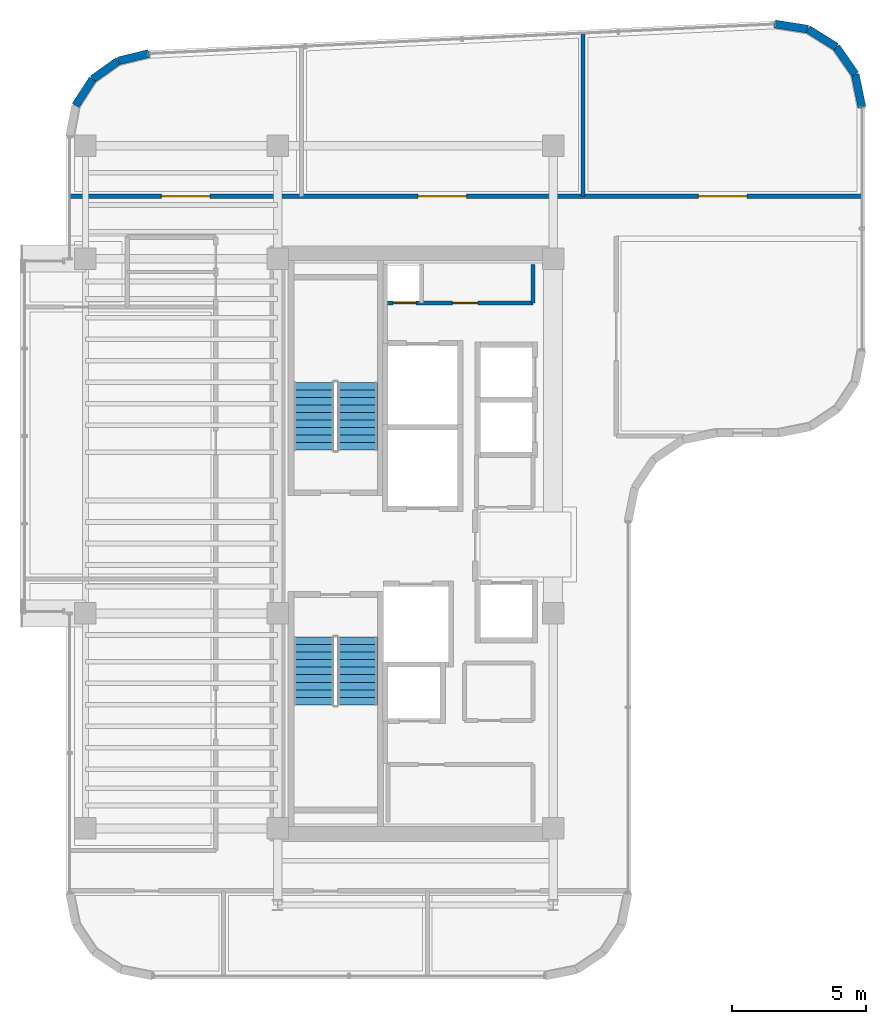
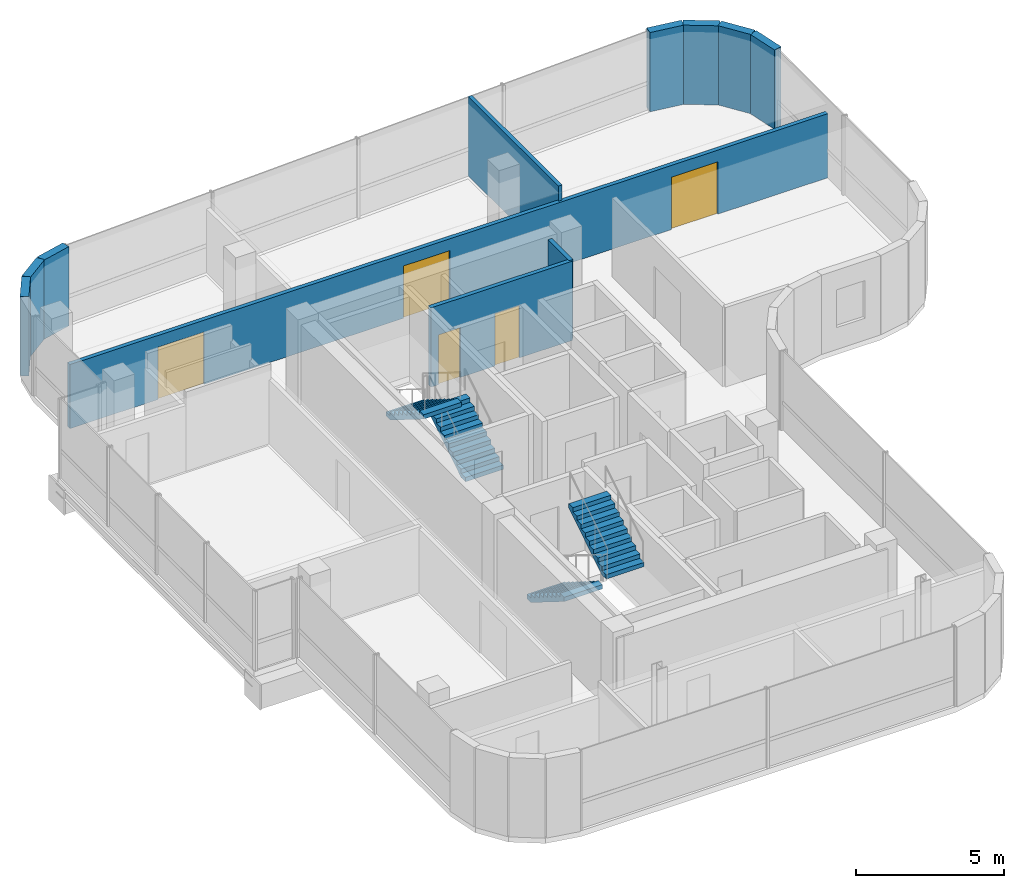
# One storey, part 16 of 18: 11 walls, 5 doors, 4 stair flights, 5 openings, 2 elements without a shape of their own.
"""IFC4 building model written with IfcOpenShell, lengths in metres."""

from ifc_helpers import new_model, si_unit, direction, frame, frame_2d, origin, place, context, subcontext, project, spatial, polyline, rectangle, outline, extrude, material, layer, layer_set, type_object, element, fill, aggregate, save


model = new_model("IFC4")

# Units and contexts
model_context = context("Model", 3, precision=1e-05, world=origin(), true_north=direction((0.0, 1.0)))
body_context = subcontext(model_context, "Body", "Model", "MODEL_VIEW")
ifc_project = project(units=[si_unit("LENGTHUNIT", "METRE"), si_unit("AREAUNIT", "SQUARE_METRE"), si_unit("VOLUMEUNIT", "CUBIC_METRE"), si_unit("PLANEANGLEUNIT", "RADIAN"), si_unit("MASSUNIT", "GRAM", prefix="KILO")], contexts=[model_context])

# Site, building, storey
site_placement = place(None, origin())
site = spatial("IfcSite", under=ifc_project, at=site_placement, CompositionType="ELEMENT")
building_placement = place(site_placement, origin())
building = spatial("IfcBuilding", under=site, at=building_placement, Name="Valdorenza Pilgrim Sanctuary Tower", CompositionType="ELEMENT")
storey_placement = place(building_placement, frame((0.0, 0.0, 276.5)))
storey = spatial("IfcBuildingStorey", under=building, at=storey_placement, Name="L72", CompositionType="ELEMENT", Elevation=276.5)

# Wall, openings, doors
ifc_material_1 = material(Name="Acoustic twin-stud gypsum partition", Category="gypsum")
ifc_layer_1 = layer(ifc_material_1, 0.159912109375, Name="Acoustic twin-stud gypsum partition")
ifc_layer_set_1 = layer_set([ifc_layer_1], Name="Acoustic twin-stud gypsum partition")
wall_type_1 = type_object("IfcWallType", Name="WAL-COR-160", PredefinedType="PARTITIONING", material=ifc_layer_set_1)
wall_1_placement = place(storey_placement, frame((-18.64990234375, 8.949951171875, 0.0), z_axis=(0.0, 0.0, 1.0), x_axis=(1.0, 0.0, 0.0)))
wall_1 = element("IfcWall", 1, at=wall_1_placement, inside=storey, type_object=wall_type_1, Name="L72 Core A North Service South Wall", PredefinedType="PARTITIONING", context=body_context, shape_type="SweptSolid", body=[
    extrude(rectangle(XDim=5.5, YDim=0.159912109375, at=frame_2d((2.75, 0.0))), origin(), (0.0, 0.0, 1.0), 3.260009765625),
])
opening_1_placement = place(wall_1_placement, frame((0.300048828125, 0.0, 0.0)))
opening_1 = element("IfcOpeningElement", 2, at=opening_1_placement, cuts=wall_1, Name="Opening DR-RS1", PredefinedType="OPENING", context=body_context, shape_type="SweptSolid", body=[
    extrude(rectangle(XDim=0.85009765625, YDim=2.050048828125, at=frame_2d((0.425048828125, 1.02490234375))), frame((0.0, 0.0947265625, 0.0), z_axis=(0.0, -1.0, 0.0), x_axis=(1.0, 0.0, 0.0)), (0.0, 0.0, 1.0), 0.189697265625),
])
opening_2_placement = place(wall_1_placement, frame((2.5, 0.0, 0.0)))
opening_2 = element("IfcOpeningElement", 3, at=opening_2_placement, cuts=wall_1, Name="Opening DR-UN1", PredefinedType="OPENING", context=body_context, shape_type="SweptSolid", body=[
    extrude(rectangle(XDim=0.949951171875, YDim=2.14990234375, at=frame_2d((0.47509765625, 1.074951171875))), frame((0.0, 0.0947265625, 0.0), z_axis=(0.0, -1.0, 0.0), x_axis=(1.0, 0.0, 0.0)), (0.0, 0.0, 1.0), 0.189697265625),
])
ifc_material_2 = material(Name="Painted galvanized steel", Category="steel")
door_type_1 = type_object("IfcDoorType", Name="DR-RSR-850", OperationType="NOTDEFINED", PredefinedType="DOOR", material=ifc_material_2)
door_1_placement = place(opening_1_placement, origin())
door_1 = element("IfcDoor", 4, at=door_1_placement, inside=storey, type_object=door_type_1, Name="L72 Core Electrical and Telecom Riser Door", OperationType="SINGLE_SWING_LEFT", OverallHeight=2.050048828125, OverallWidth=0.85009765625, PredefinedType="DOOR", context=body_context, shape_type="SweptSolid", body=[
    extrude(rectangle(XDim=0.85009765625, YDim=2.050048828125, at=frame_2d((0.425048828125, 1.02490234375))), frame((0.0, 0.02490234375, 0.0), z_axis=(0.0, -1.0, 0.0), x_axis=(1.0, 0.0, 0.0)), (0.0, 0.0, 1.0), 0.050048828125),
])
fill(opening_1, door_1)
ifc_material_3 = material(Name="Solid-core European oak timber", Category="wood")
door_type_2 = type_object("IfcDoorType", Name="DR-UNIT-950", OperationType="NOTDEFINED", PredefinedType="DOOR", material=ifc_material_3)
door_2_placement = place(opening_2_placement, origin())
door_2 = element("IfcDoor", 5, at=door_2_placement, inside=storey, type_object=door_type_2, Name="L72 Housekeeping and Clean Linen Room Door", OperationType="SINGLE_SWING_RIGHT", OverallHeight=2.14990234375, OverallWidth=0.949951171875, PredefinedType="DOOR", context=body_context, shape_type="SweptSolid", body=[
    extrude(rectangle(XDim=0.949951171875, YDim=2.14990234375, at=frame_2d((0.47509765625, 1.074951171875))), frame((0.0, 0.02490234375, 0.0), z_axis=(0.0, -1.0, 0.0), x_axis=(1.0, 0.0, 0.0)), (0.0, 0.0, 1.0), 0.050048828125),
])
fill(opening_2, door_2)

# Wall
wall_2_placement = place(storey_placement, frame((-13.14990234375, 8.949951171875, 0.0), z_axis=(0.0, 0.0, 1.0), x_axis=(0.0, 1.0, 0.0)))
element("IfcWall", 6, at=wall_2_placement, inside=storey, type_object=wall_type_1, Name="L72 Core A North Service East Wall", PredefinedType="PARTITIONING", context=body_context, shape_type="SweptSolid", body=[
    extrude(rectangle(XDim=1.429931640625, YDim=0.159912109375, at=frame_2d((0.71484375, 0.0))), origin(), (0.0, 0.0, 1.0), 3.260009765625),
])

# Wall, openings, doors
wall_3_placement = place(storey_placement, frame((-30.389892578125, 12.919921875, 0.0), z_axis=(0.0, 0.0, 1.0), x_axis=(1.0, 0.0, 0.0)))
wall_3 = element("IfcWall", 7, at=wall_3_placement, inside=storey, type_object=wall_type_1, Name="L72 North Corridor Wall", PredefinedType="PARTITIONING", context=body_context, shape_type="SweptSolid", body=[
    extrude(rectangle(XDim=29.47998046875, YDim=0.159912109375, at=frame_2d((14.739990234375, 0.0))), origin(), (0.0, 0.0, 1.0), 2.634033203125),
])
opening_3_placement = place(wall_3_placement, frame((3.4150390625, 0.0, 0.0)))
opening_3 = element("IfcOpeningElement", 8, at=opening_3_placement, cuts=wall_3, Name="Opening DR-HL1", PredefinedType="OPENING", context=body_context, shape_type="SweptSolid", body=[
    extrude(rectangle(XDim=1.800048828125, YDim=2.14990234375, at=frame_2d((0.89990234375, 1.074951171875))), frame((0.0, 0.0947265625, 0.0), z_axis=(0.0, -1.0, 0.0), x_axis=(1.0, 0.0, 0.0)), (0.0, 0.0, 1.0), 0.189697265625),
])
opening_4_placement = place(wall_3_placement, frame((12.969970703125, 0.0, 0.0)))
opening_4 = element("IfcOpeningElement", 9, at=opening_4_placement, cuts=wall_3, Name="Opening DR-HL1", PredefinedType="OPENING", context=body_context, shape_type="SweptSolid", body=[
    extrude(rectangle(XDim=1.800048828125, YDim=2.14990234375, at=frame_2d((0.89990234375, 1.074951171875))), frame((0.0, 0.0947265625, 0.0), z_axis=(0.0, -1.0, 0.0), x_axis=(1.0, 0.0, 0.0)), (0.0, 0.0, 1.0), 0.189697265625),
])
opening_5_placement = place(wall_3_placement, frame((23.39501953125, 0.0, 0.0)))
opening_5 = element("IfcOpeningElement", 10, at=opening_5_placement, cuts=wall_3, Name="Opening DR-HL1", PredefinedType="OPENING", context=body_context, shape_type="SweptSolid", body=[
    extrude(rectangle(XDim=1.800048828125, YDim=2.14990234375, at=frame_2d((0.89990234375, 1.074951171875))), frame((0.0, 0.0947265625, 0.0), z_axis=(0.0, -1.0, 0.0), x_axis=(1.0, 0.0, 0.0)), (0.0, 0.0, 1.0), 0.189697265625),
])
ifc_material_4 = material(Name="Acoustic oak and vision-glass double door", Category="glass")
door_type_3 = type_object("IfcDoorType", Name="DR-HALL-1800", OperationType="NOTDEFINED", PredefinedType="DOOR", material=ifc_material_4)
door_3_placement = place(opening_3_placement, origin())
door_3 = element("IfcDoor", 11, at=door_3_placement, inside=storey, type_object=door_type_3, Name="L72 Sacred Art Exhibition Gallery L72-N1 Door", OperationType="DOUBLE_DOOR_SINGLE_SWING", OverallHeight=2.14990234375, OverallWidth=1.800048828125, PredefinedType="DOOR", context=body_context, shape_type="SweptSolid", body=[
    extrude(rectangle(XDim=1.800048828125, YDim=2.14990234375, at=frame_2d((0.89990234375, 1.074951171875))), frame((0.0, 0.02490234375, 0.0), z_axis=(0.0, -1.0, 0.0), x_axis=(1.0, 0.0, 0.0)), (0.0, 0.0, 1.0), 0.050048828125),
])
fill(opening_3, door_3)
door_4_placement = place(opening_4_placement, frame((1.800048828125, 0.0, 0.0), z_axis=(0.0, 0.0, 1.0), x_axis=(-1.0, 0.0, 0.0)))
door_4 = element("IfcDoor", 12, at=door_4_placement, inside=storey, type_object=door_type_3, Name="L72 Sacred Art Exhibition Gallery L72-N2 Door", OperationType="DOUBLE_DOOR_SINGLE_SWING", OverallHeight=2.14990234375, OverallWidth=1.800048828125, PredefinedType="DOOR", context=body_context, shape_type="SweptSolid", body=[
    extrude(rectangle(XDim=1.800048828125, YDim=2.14990234375, at=frame_2d((0.89990234375, 1.074951171875))), frame((0.0, 0.02490234375, 0.0), z_axis=(0.0, -1.0, 0.0), x_axis=(1.0, 0.0, 0.0)), (0.0, 0.0, 1.0), 0.050048828125),
])
fill(opening_4, door_4)
door_5_placement = place(opening_5_placement, origin())
door_5 = element("IfcDoor", 13, at=door_5_placement, inside=storey, type_object=door_type_3, Name="L72 Sacred Art Exhibition Gallery L72-N3 Door", OperationType="DOUBLE_DOOR_SINGLE_SWING", OverallHeight=2.14990234375, OverallWidth=1.800048828125, PredefinedType="DOOR", context=body_context, shape_type="SweptSolid", body=[
    extrude(rectangle(XDim=1.800048828125, YDim=2.14990234375, at=frame_2d((0.89990234375, 1.074951171875))), frame((0.0, 0.02490234375, 0.0), z_axis=(0.0, -1.0, 0.0), x_axis=(1.0, 0.0, 0.0)), (0.0, 0.0, 1.0), 0.050048828125),
])
fill(opening_5, door_5)

# Walls
ifc_material_5 = material(Name="Honed travertine limestone", Category="masonry")
ifc_layer_2 = layer(ifc_material_5, 0.300048828125, Name="Honed travertine limestone")
ifc_layer_set_2 = layer_set([ifc_layer_2], Name="Honed travertine limestone")
wall_type_2 = type_object("IfcWallType", Name="WAL-EXT-300", PredefinedType="SOLIDWALL", material=ifc_layer_set_2)
wall_4_placement = place(storey_placement, frame((-30.16650390625, 16.29541015625, 0.0), z_axis=(0.0, 0.0, 1.0), x_axis=(0.540842020947, 0.841124193195, 0.0)))
element("IfcWall", 14, at=wall_4_placement, inside=storey, type_object=wall_type_2, Name="L72 Rounded Wind-Corner Stone Pier 3", PredefinedType="SOLIDWALL", context=body_context, shape_type="SweptSolid", body=[
    extrude(rectangle(XDim=1.169189453125, YDim=0.300048828125, at=frame_2d((0.58447265625, 0.0))), origin(), (0.0, 0.0, 1.0), 3.260009765625),
])
wall_5_placement = place(storey_placement, frame((-29.5341796875, 17.27880859375, 0.0), z_axis=(0.0, 0.0, 1.0), x_axis=(0.81466371606, 0.579933642527, 0.0)))
element("IfcWall", 15, at=wall_5_placement, inside=storey, type_object=wall_type_2, Name="L72 Rounded Wind-Corner Stone Pier 4", PredefinedType="SOLIDWALL", context=body_context, shape_type="SweptSolid", body=[
    extrude(rectangle(XDim=1.1689453125, YDim=0.300048828125, at=frame_2d((0.58447265625, 0.0))), origin(), (0.0, 0.0, 1.0), 3.260009765625),
])
wall_6_placement = place(storey_placement, frame((-28.581787109375, 17.956787109375, 0.0), z_axis=(0.0, 0.0, 1.0), x_axis=(0.971929016595, 0.235274279725, 0.0)))
element("IfcWall", 16, at=wall_6_placement, inside=storey, type_object=wall_type_2, Name="L72 Rounded Wind-Corner Stone Pier 5", PredefinedType="SOLIDWALL", context=body_context, shape_type="SweptSolid", body=[
    extrude(rectangle(XDim=1.179931640625, YDim=0.300048828125, at=frame_2d((0.58984375, 0.0))), origin(), (0.0, 0.0, 1.0), 3.260009765625),
])
wall_7_placement = place(storey_placement, frame((-4.15673828125, 19.331787109375, 0.0), z_axis=(0.0, 0.0, 1.0), x_axis=(0.987969236552, -0.15465053387, 0.0)))
element("IfcWall", 17, at=wall_7_placement, inside=storey, type_object=wall_type_2, Name="L72 Rounded Wind-Corner Stone Pier 7", PredefinedType="SOLIDWALL", context=body_context, shape_type="SweptSolid", body=[
    extrude(rectangle(XDim=1.251953125, YDim=0.300048828125, at=frame_2d((0.6259765625, 0.0))), origin(), (0.0, 0.0, 1.0), 3.260009765625),
])
for number, where, z_axis, x_axis, name in (
    (18, (-2.919921875, 19.13818359375, 0.0), (0.0, 0.0, 1.0), (0.847489288141, -0.530812496543, 0.0), "L72 Rounded Wind-Corner Stone Pier 8"),
    (19, (-1.86865234375, 18.479736328125, 0.0), (0.0, 0.0, 1.0), (0.570181861951, -0.821518499063, 0.0), "L72 Rounded Wind-Corner Stone Pier 9"),
):
    element("IfcWall", number, at=place(storey_placement, frame(where, z_axis=z_axis, x_axis=x_axis)), inside=storey, type_object=wall_type_2, Name=name, PredefinedType="SOLIDWALL", context=body_context, shape_type="SweptSolid", body=[
        extrude(rectangle(XDim=1.240478515625, YDim=0.300048828125, at=frame_2d((0.6201171875, 0.0))), origin(), (0.0, 0.0, 1.0), 3.260009765625),
    ])
wall_8_placement = place(storey_placement, frame((-1.161376953125, 17.460693359375, 0.0), z_axis=(0.0, 0.0, 1.0), x_axis=(0.20087696073, -0.979616479367, 0.0)))
element("IfcWall", 20, at=wall_8_placement, inside=storey, type_object=wall_type_2, Name="L72 Rounded Wind-Corner Stone Pier 10", PredefinedType="SOLIDWALL", context=body_context, shape_type="SweptSolid", body=[
    extrude(rectangle(XDim=1.251953125, YDim=0.300048828125, at=frame_2d((0.6259765625, 0.0))), origin(), (0.0, 0.0, 1.0), 3.260009765625),
])
ifc_layer_3 = layer(ifc_material_1, 0.14990234375, Name="Acoustic twin-stud gypsum partition")
ifc_layer_set_3 = layer_set([ifc_layer_3], Name="Acoustic twin-stud gypsum partition")
wall_type_3 = type_object("IfcWallType", Name="WAL-UNT-150", PredefinedType="PARTITIONING", material=ifc_layer_set_3)
wall_9_placement = place(storey_placement, frame((-11.280029296875, 12.919921875, 0.0), z_axis=(0.0, 0.0, 1.0), x_axis=(0.0, 1.0, 0.0)))
element("IfcWall", 21, at=wall_9_placement, inside=storey, type_object=wall_type_3, Name="L72 Sacred Art Exhibition Gallery L72-N3 Demising Wall", PredefinedType="PARTITIONING", context=body_context, shape_type="SweptSolid", body=[
    extrude(rectangle(XDim=6.075927734375, YDim=0.14990234375, at=frame_2d((3.0380859375, 0.0))), origin(), (0.0, 0.0, 1.0), 3.260009765625),
])

# Stair, stair flights
ifc_material_6 = material(Name="Concrete C40/50", Category="concrete")
stair_type = type_object("IfcStairType", Name="STR-DOG-CORE", PredefinedType="HALF_TURN_STAIR", material=ifc_material_6)
stair_1_placement = place(storey_placement, origin())
stair_1 = element("IfcStair", 22, at=stair_1_placement, inside=storey, type_object=stair_type, Name="L72 ST-A1", PredefinedType="HALF_TURN_STAIR")
stair_flight_type = type_object("IfcStairFlightType", Name="STF-RC-1400", PredefinedType="STRAIGHT", material=ifc_material_6)
stair_flight_1_placement = place(storey_placement, frame((-19.679931640625, 3.47998046875, 0.0), z_axis=(0.0, 0.0, 1.0), x_axis=(0.0, 1.0, 0.0)))
stair_flight_1 = element("IfcStairFlight", 23, at=stair_flight_1_placement, type_object=stair_flight_type, Name="ST-A1 flight 1", NumberOfRisers=10, NumberOfTreads=9, PredefinedType="STRAIGHT", RiserHeight=0.175, TreadLength=0.28, context=body_context, shape_type="SweptSolid", body=[
    extrude(outline(polyline([(0.0, 0.0), (0.0, 0.175048828125), (0.280029296875, 0.175048828125), (0.280029296875, 0.35009765625), (0.56005859375, 0.35009765625), (0.56005859375, 0.52490234375), (0.840087890625, 0.52490234375), (0.840087890625, 0.699951171875), (1.1201171875, 0.699951171875), (1.1201171875, 0.875), (1.39990234375, 0.875), (1.39990234375, 1.050048828125), (1.679931640625, 1.050048828125), (1.679931640625, 1.22509765625), (1.9599609375, 1.22509765625), (1.9599609375, 1.39990234375), (2.239990234375, 1.39990234375), (2.239990234375, 1.574951171875), (2.52001953125, 1.574951171875), (2.52001953125, 1.75), (2.52001953125, 1.398193359375), (0.28271484375, 0.0), (0.0, 0.0)])), frame((0.0, 0.739990234375, 0.0), z_axis=(0.0, -1.0, 0.0), x_axis=(1.0, 0.0, 0.0)), (0.0, 0.0, 1.0), 1.47998046875),
])
stair_flight_2_placement = place(storey_placement, frame((-21.31005859375, 6.0, 1.75), z_axis=(0.0, 0.0, 1.0), x_axis=(0.0, -1.0, 0.0)))
stair_flight_2 = element("IfcStairFlight", 24, at=stair_flight_2_placement, type_object=stair_flight_type, Name="ST-A1 flight 2", NumberOfRisers=10, NumberOfTreads=9, PredefinedType="STRAIGHT", RiserHeight=0.175, TreadLength=0.28, context=body_context, shape_type="SweptSolid", body=[
    extrude(outline(polyline([(0.0, 0.0), (0.0, 0.175048828125), (0.280029296875, 0.175048828125), (0.280029296875, 0.35009765625), (0.56005859375, 0.35009765625), (0.56005859375, 0.52490234375), (0.840087890625, 0.52490234375), (0.840087890625, 0.699951171875), (1.1201171875, 0.699951171875), (1.1201171875, 0.875), (1.39990234375, 0.875), (1.39990234375, 1.050048828125), (1.679931640625, 1.050048828125), (1.679931640625, 1.22509765625), (1.9599609375, 1.22509765625), (1.9599609375, 1.39990234375), (2.239990234375, 1.39990234375), (2.239990234375, 1.574951171875), (2.52001953125, 1.574951171875), (2.52001953125, 1.75), (2.52001953125, 1.398193359375), (0.28271484375, 0.0), (0.0, 0.0)])), frame((0.0, 0.739990234375, 0.0), z_axis=(0.0, -1.0, 0.0), x_axis=(1.0, 0.0, 0.0)), (0.0, 0.0, 1.0), 1.47998046875),
])
aggregate(stair_1, [stair_flight_1, stair_flight_2])

stair_2_placement = place(storey_placement, origin())
stair_2 = element("IfcStair", 25, at=stair_2_placement, inside=storey, type_object=stair_type, Name="L72 ST-A2", PredefinedType="HALF_TURN_STAIR")
stair_flight_3_placement = place(storey_placement, frame((-21.31005859375, -3.47998046875, 0.0), z_axis=(0.0, 0.0, 1.0), x_axis=(0.0, -1.0, 0.0)))
stair_flight_3 = element("IfcStairFlight", 26, at=stair_flight_3_placement, type_object=stair_flight_type, Name="ST-A2 flight 1", NumberOfRisers=10, NumberOfTreads=9, PredefinedType="STRAIGHT", RiserHeight=0.175, TreadLength=0.28, context=body_context, shape_type="SweptSolid", body=[
    extrude(outline(polyline([(0.0, 0.0), (0.0, 0.175048828125), (0.280029296875, 0.175048828125), (0.280029296875, 0.35009765625), (0.56005859375, 0.35009765625), (0.56005859375, 0.52490234375), (0.840087890625, 0.52490234375), (0.840087890625, 0.699951171875), (1.1201171875, 0.699951171875), (1.1201171875, 0.875), (1.39990234375, 0.875), (1.39990234375, 1.050048828125), (1.679931640625, 1.050048828125), (1.679931640625, 1.22509765625), (1.9599609375, 1.22509765625), (1.9599609375, 1.39990234375), (2.239990234375, 1.39990234375), (2.239990234375, 1.574951171875), (2.52001953125, 1.574951171875), (2.52001953125, 1.75), (2.52001953125, 1.398193359375), (0.28271484375, 0.0), (0.0, 0.0)])), frame((0.0, 0.739990234375, 0.0), z_axis=(0.0, -1.0, 0.0), x_axis=(1.0, 0.0, 0.0)), (0.0, 0.0, 1.0), 1.47998046875),
])
stair_flight_4_placement = place(storey_placement, frame((-19.679931640625, -6.0, 1.75), z_axis=(0.0, 0.0, 1.0), x_axis=(0.0, 1.0, 0.0)))
stair_flight_4 = element("IfcStairFlight", 27, at=stair_flight_4_placement, type_object=stair_flight_type, Name="ST-A2 flight 2", NumberOfRisers=10, NumberOfTreads=9, PredefinedType="STRAIGHT", RiserHeight=0.175, TreadLength=0.28, context=body_context, shape_type="SweptSolid", body=[
    extrude(outline(polyline([(0.0, 0.0), (0.0, 0.175048828125), (0.280029296875, 0.175048828125), (0.280029296875, 0.35009765625), (0.56005859375, 0.35009765625), (0.56005859375, 0.52490234375), (0.840087890625, 0.52490234375), (0.840087890625, 0.699951171875), (1.1201171875, 0.699951171875), (1.1201171875, 0.875), (1.39990234375, 0.875), (1.39990234375, 1.050048828125), (1.679931640625, 1.050048828125), (1.679931640625, 1.22509765625), (1.9599609375, 1.22509765625), (1.9599609375, 1.39990234375), (2.239990234375, 1.39990234375), (2.239990234375, 1.574951171875), (2.52001953125, 1.574951171875), (2.52001953125, 1.75), (2.52001953125, 1.398193359375), (0.28271484375, 0.0), (0.0, 0.0)])), frame((0.0, 0.739990234375, 0.0), z_axis=(0.0, -1.0, 0.0), x_axis=(1.0, 0.0, 0.0)), (0.0, 0.0, 1.0), 1.47998046875),
])
aggregate(stair_2, [stair_flight_3, stair_flight_4])

save(model, "model.ifc")
